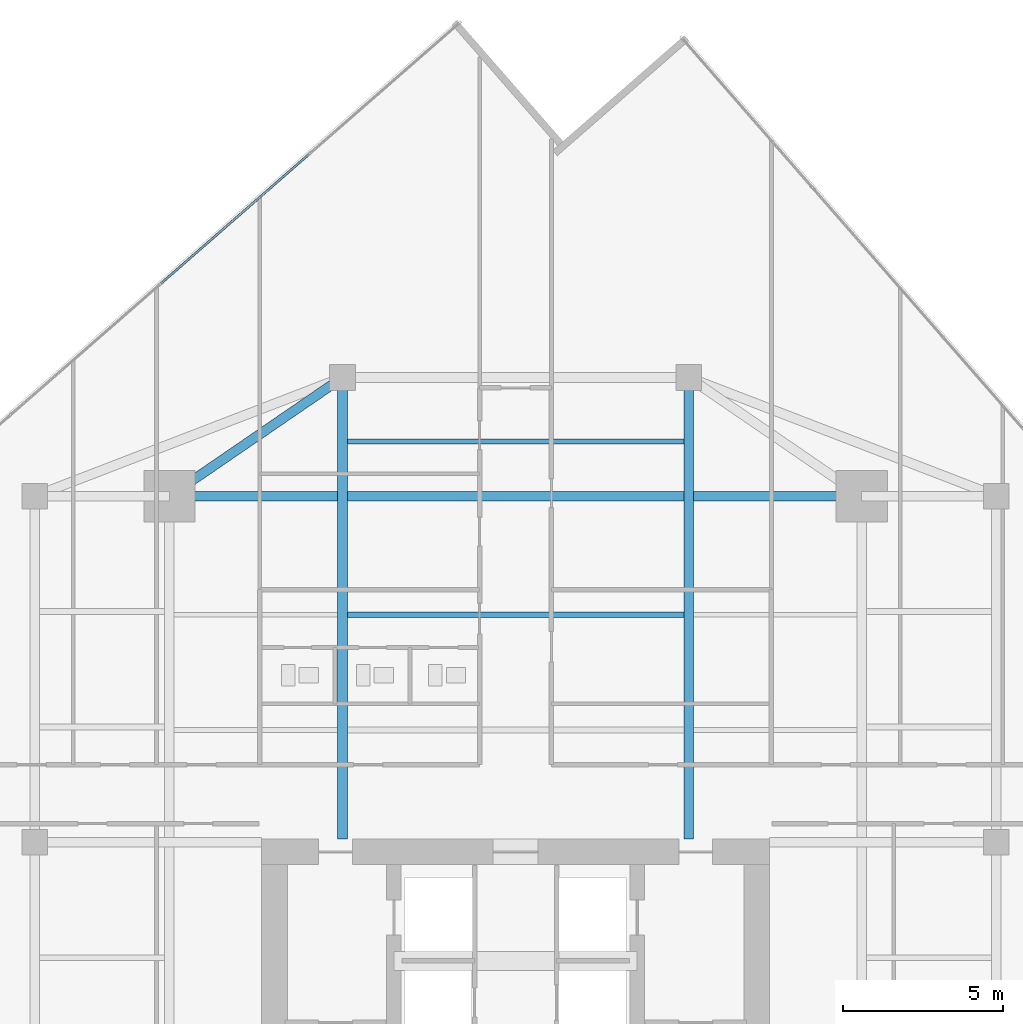
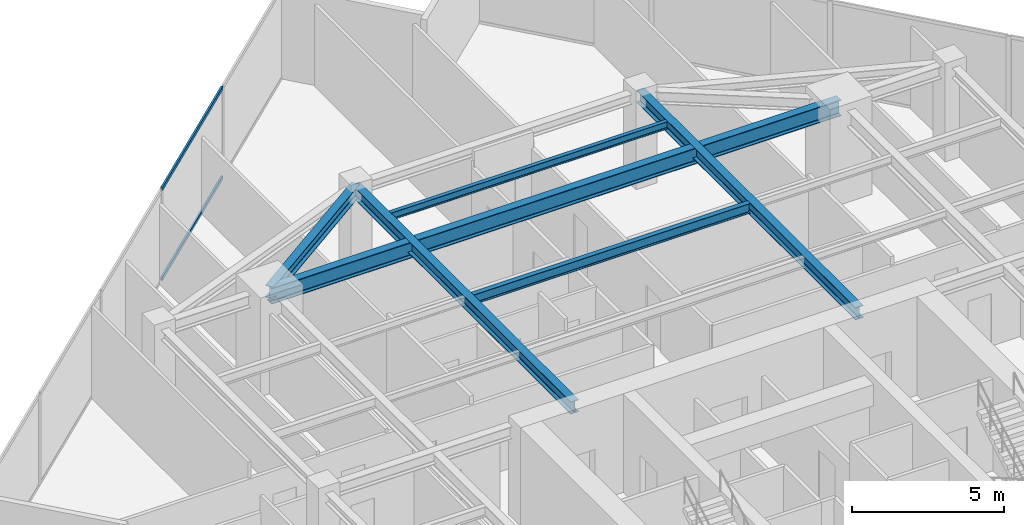
# One storey, part 15 of 24: 6 beams, 2 members, 1 element without a shape of its own.
"""IFC4 building model written with IfcOpenShell, lengths in metres."""

from ifc_helpers import new_model, si_unit, direction, frame, origin, origin_2d, place, context, subcontext, project, spatial, hollow_rectangle, i_section, extrude, source, transform, mapped, material, material_profile, profile_set, type_object, type_shapes, element, aggregate, save


model = new_model("IFC4")

# Units and contexts
model_context = context("Model", 3, precision=1e-05, world=origin(), true_north=direction((0.0, 1.0)))
body_context = subcontext(model_context, "Body", "Model", "MODEL_VIEW")
ifc_project = project(units=[si_unit("LENGTHUNIT", "METRE"), si_unit("AREAUNIT", "SQUARE_METRE"), si_unit("VOLUMEUNIT", "CUBIC_METRE"), si_unit("PLANEANGLEUNIT", "RADIAN"), si_unit("MASSUNIT", "GRAM", prefix="KILO")], contexts=[model_context])

# Site, building, storey
site_placement = place(None, origin())
site = spatial("IfcSite", under=ifc_project, at=site_placement, CompositionType="ELEMENT")
building_placement = place(site_placement, origin())
building = spatial("IfcBuilding", under=site, at=building_placement, Name="Krantzveldt Concourse Tower", CompositionType="ELEMENT")
storey_placement = place(building_placement, frame((0.0, 0.0, 254.699951171875)))
storey = spatial("IfcBuildingStorey", under=building, at=storey_placement, Name="L62", CompositionType="ELEMENT", Elevation=254.699951171875)

# Beams
ifc_material_1 = material(Name="Steel S355JR", Category="steel")
ifc_material_profile_1 = material_profile(ifc_material_1, i_section(OverallWidth=0.300048828125, OverallDepth=0.639892578125, WebThickness=0.013427734375, FlangeThickness=0.02587890625, FilletRadius=0.027099609375, at=origin_2d()), Name="Steel S355JR", Category="steel")
ifc_profile_set_1 = profile_set([ifc_material_profile_1], Name="Steel S355JR - HEA 650")
beam_type_1 = type_object("IfcBeamType", Name="BM-B-HEA650", PredefinedType="BEAM", material=ifc_profile_set_1)
shared_shape_1 = source(origin(), body_context, "Body", "SweptSolid", [
    extrude(i_section(OverallWidth=0.300048828125, OverallDepth=0.639892578125, WebThickness=0.013427734375, FlangeThickness=0.02587890625, FilletRadius=0.027099609375, at=origin_2d()), origin(), (0.0, 0.0, 1.0), 21.60009765625),
])
type_shapes(beam_type_1, [shared_shape_1])
beam_1_placement = place(storey_placement, frame((25.199951171875, 37.5, 3.35009765625), z_axis=(1.0, 0.0, 0.0), x_axis=(0.0, 1.0, 0.0)))
element("IfcBeam", 1, at=beam_1_placement, inside=storey, type_object=beam_type_1, Name="L62 Tower Girder BG-MN", PredefinedType="BEAM", context=body_context, shape_type="MappedRepresentation", body=[
    mapped(shared_shape_1, transform((0.0, 0.0, 0.0), x_axis=(1.0, 0.0, 0.0), y_axis=(0.0, 1.0, 0.0), z_axis=(0.0, 0.0, 1.0), scale=1.0)),
])
ifc_material_profile_2 = material_profile(ifc_material_1, i_section(OverallWidth=0.179931640625, OverallDepth=0.39990234375, WebThickness=0.008544921875, FlangeThickness=0.013427734375, FilletRadius=0.02099609375, at=origin_2d()), Name="Steel S355JR", Category="steel")
ifc_profile_set_2 = profile_set([ifc_material_profile_2], Name="Steel S355JR - IPE 400")
beam_type_2 = type_object("IfcBeamType", Name="BM-J-IPE400", PredefinedType="JOIST", material=ifc_profile_set_2)
shared_shape_2 = source(origin(), body_context, "Body", "SweptSolid", [
    extrude(i_section(OverallWidth=0.179931640625, OverallDepth=0.39990234375, WebThickness=0.008544921875, FlangeThickness=0.013427734375, FilletRadius=0.02099609375, at=origin_2d()), origin(), (0.0, 0.0, 1.0), 10.5),
])
type_shapes(beam_type_2, [shared_shape_2])
beam_2_placement = place(storey_placement, frame((30.75, 33.800048828125, 3.469970703125), z_axis=(1.0, 0.0, 0.0), x_axis=(0.0, 1.0, 0.0)))
element("IfcBeam", 2, at=beam_2_placement, inside=storey, type_object=beam_type_2, Name="L62 Secondary Floor Joist JN-C2", PredefinedType="JOIST", context=body_context, shape_type="MappedRepresentation", body=[
    mapped(shared_shape_2, transform((0.0, 0.0, 0.0), x_axis=(1.0, 0.0, 0.0), y_axis=(0.0, 1.0, 0.0), z_axis=(0.0, 0.0, 1.0), scale=1.0)),
])
ifc_material_profile_3 = material_profile(ifc_material_1, i_section(OverallWidth=0.300048828125, OverallDepth=0.489990234375, WebThickness=0.011962890625, FlangeThickness=0.02294921875, FilletRadius=0.027099609375, at=origin_2d()), Name="Steel S355JR", Category="steel")
ifc_profile_set_3 = profile_set([ifc_material_profile_3], Name="Steel S355JR - HEA 500")
beam_type_3 = type_object("IfcBeamType", Name="BM-B-HEA500", PredefinedType="BEAM", material=ifc_profile_set_3)
shared_shape_3 = source(origin(), body_context, "Body", "SweptSolid", [
    extrude(i_section(OverallWidth=0.300048828125, OverallDepth=0.489990234375, WebThickness=0.011962890625, FlangeThickness=0.02294921875, FilletRadius=0.027099609375, at=origin_2d()), origin(), (0.0, 0.0, 1.0), 14.39990234375),
])
for number, where, z_axis, x_axis, name in (
    (3, (30.60009765625, 26.800048828125, 3.425048828125), (0.0, 1.0, 0.0), (-1.0, 0.0, 0.0), "L62 Tower Girder BG-CNW"),
    (4, (41.39990234375, 26.800048828125, 3.425048828125), (0.0, 1.0, 0.0), (-1.0, 0.0, 0.0), "L62 Tower Girder BG-CNE"),
):
    element("IfcBeam", number, at=place(storey_placement, frame(where, z_axis=z_axis, x_axis=x_axis)), inside=storey, type_object=beam_type_3, Name=name, PredefinedType="BEAM", context=body_context, shape_type="MappedRepresentation", body=[
        mapped(shared_shape_3, transform((0.0, 0.0, 0.0), x_axis=(1.0, 0.0, 0.0), y_axis=(0.0, 1.0, 0.0), z_axis=(0.0, 0.0, 1.0), scale=1.0)),
    ])
shared_shape_4 = source(origin(), body_context, "Body", "SweptSolid", [
    extrude(i_section(OverallWidth=0.300048828125, OverallDepth=0.489990234375, WebThickness=0.011962890625, FlangeThickness=0.02294921875, FilletRadius=0.027099609375, at=origin_2d()), origin(), (0.0, 0.0, 1.0), 6.546142578125),
])
type_shapes(beam_type_3, [shared_shape_3, shared_shape_4])
beam_3_placement = place(storey_placement, frame((25.199951171875, 37.5, 3.425048828125), z_axis=(0.824942999484, 0.565215930068, 0.0), x_axis=(-0.565215930068, 0.824942999484, 0.0)))
element("IfcBeam", 5, at=beam_3_placement, inside=storey, type_object=beam_type_3, Name="L62 Tower Girder BR-RL4", PredefinedType="BEAM", context=body_context, shape_type="MappedRepresentation", body=[
    mapped(shared_shape_4, transform((0.0, 0.0, 0.0), x_axis=(1.0, 0.0, 0.0), y_axis=(0.0, 1.0, 0.0), z_axis=(0.0, 0.0, 1.0), scale=1.0)),
])
ifc_material_profile_4 = material_profile(ifc_material_1, i_section(OverallWidth=0.14990234375, OverallDepth=0.300048828125, WebThickness=0.007080078125, FlangeThickness=0.0107421875, FilletRadius=0.014892578125, at=origin_2d()), Name="Steel S355JR", Category="steel")
ifc_profile_set_4 = profile_set([ifc_material_profile_4], Name="Steel S355JR - IPE 300")
beam_type_4 = type_object("IfcBeamType", Name="BM-J-IPE300", PredefinedType="JOIST", material=ifc_profile_set_4)
shared_shape_5 = source(origin(), body_context, "Body", "SweptSolid", [
    extrude(i_section(OverallWidth=0.14990234375, OverallDepth=0.300048828125, WebThickness=0.007080078125, FlangeThickness=0.0107421875, FilletRadius=0.014892578125, at=origin_2d()), origin(), (0.0, 0.0, 1.0), 10.5),
])
type_shapes(beam_type_4, [shared_shape_5])
beam_4_placement = place(storey_placement, frame((30.75, 39.199951171875, 3.52001953125), z_axis=(1.0, 0.0, 0.0), x_axis=(0.0, 1.0, 0.0)))
element("IfcBeam", 6, at=beam_4_placement, inside=storey, type_object=beam_type_4, Name="L62 Secondary Floor Joist JN-C3", PredefinedType="JOIST", context=body_context, shape_type="MappedRepresentation", body=[
    mapped(shared_shape_5, transform((0.0, 0.0, 0.0), x_axis=(1.0, 0.0, 0.0), y_axis=(0.0, 1.0, 0.0), z_axis=(0.0, 0.0, 1.0), scale=1.0)),
])

# Curtain wall, members
ifc_material_2 = material(Name="Anodised aluminium 6063-T6", Category="aluminium")
curtain_wall_type = type_object("IfcCurtainWallType", Name="CW3", PredefinedType="USERDEFINED", material=ifc_material_2)
curtain_wall_placement = place(storey_placement, origin())
curtain_wall = element("IfcCurtainWall", 7, at=curtain_wall_placement, inside=storey, type_object=curtain_wall_type, Name="CW-L62-F01", ObjectType="UNITISED CURTAIN WALL", PredefinedType="USERDEFINED")
ifc_material_profile_5 = material_profile(ifc_material_2, hollow_rectangle(XDim=0.070068359375, YDim=0.139892578125, WallThickness=0.0048828125, at=origin_2d()), Name="Anodised aluminium 6063-T6", Category="aluminium")
ifc_profile_set_5 = profile_set([ifc_material_profile_5], Name="Anodised aluminium 6063-T6 - ALU-TRAN 140x70x5")
member_type = type_object("IfcMemberType", Name="CW-TRN-150", PredefinedType="USERDEFINED", material=ifc_profile_set_5)
shared_shape_6 = source(origin(), body_context, "Body", "SweptSolid", [
    extrude(hollow_rectangle(XDim=0.070068359375, YDim=0.139892578125, WallThickness=0.0048828125, at=origin_2d()), origin(), (0.0, 0.0, 1.0), 6.130126953125),
])
type_shapes(member_type, [shared_shape_6])
member_1_placement = place(storey_placement, frame((29.555419921875, 48.16796875, 0.03515625), z_axis=(-0.753281864593, -0.657697827635, 0.0), x_axis=(0.657697827635, -0.753281864593, 0.0)))
member_1 = element("IfcMember", 8, at=member_1_placement, type_object=member_type, Name="CW-Z34 transom 2.1", ObjectType="TRANSOM", PredefinedType="USERDEFINED", context=body_context, shape_type="MappedRepresentation", body=[
    mapped(shared_shape_6, transform((0.0, 0.0, 0.0), x_axis=(1.0, 0.0, 0.0), y_axis=(0.0, 1.0, 0.0), z_axis=(0.0, 0.0, 1.0), scale=1.0)),
])
member_2_placement = place(storey_placement, frame((29.555419921875, 48.16796875, 3.635009765625), z_axis=(-0.753281864593, -0.657697827635, 0.0), x_axis=(0.657697827635, -0.753281864593, 0.0)))
member_2 = element("IfcMember", 9, at=member_2_placement, type_object=member_type, Name="CW-Z34 transom 2.2", ObjectType="TRANSOM", PredefinedType="USERDEFINED", context=body_context, shape_type="MappedRepresentation", body=[
    mapped(shared_shape_6, transform((0.0, 0.0, 0.0), x_axis=(1.0, 0.0, 0.0), y_axis=(0.0, 1.0, 0.0), z_axis=(0.0, 0.0, 1.0), scale=1.0)),
])
aggregate(curtain_wall, [member_1, member_2])

save(model, "model.ifc")
